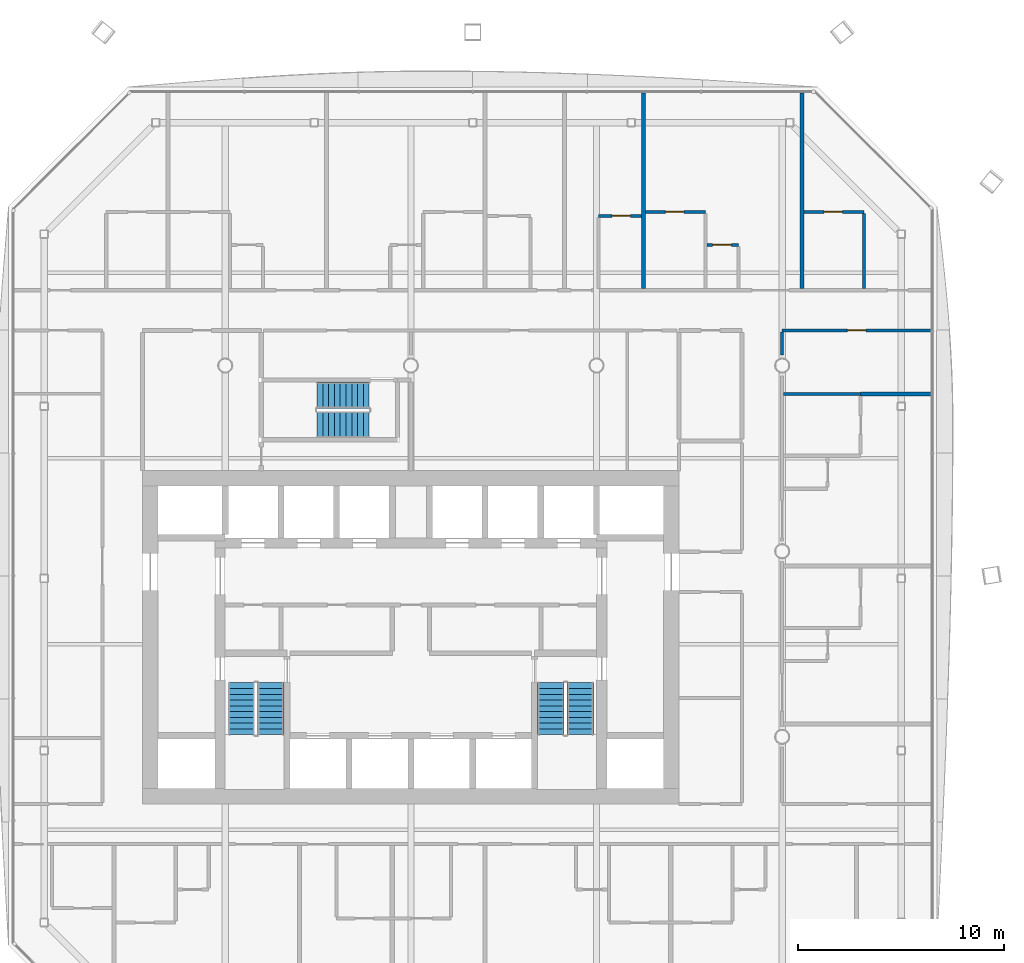
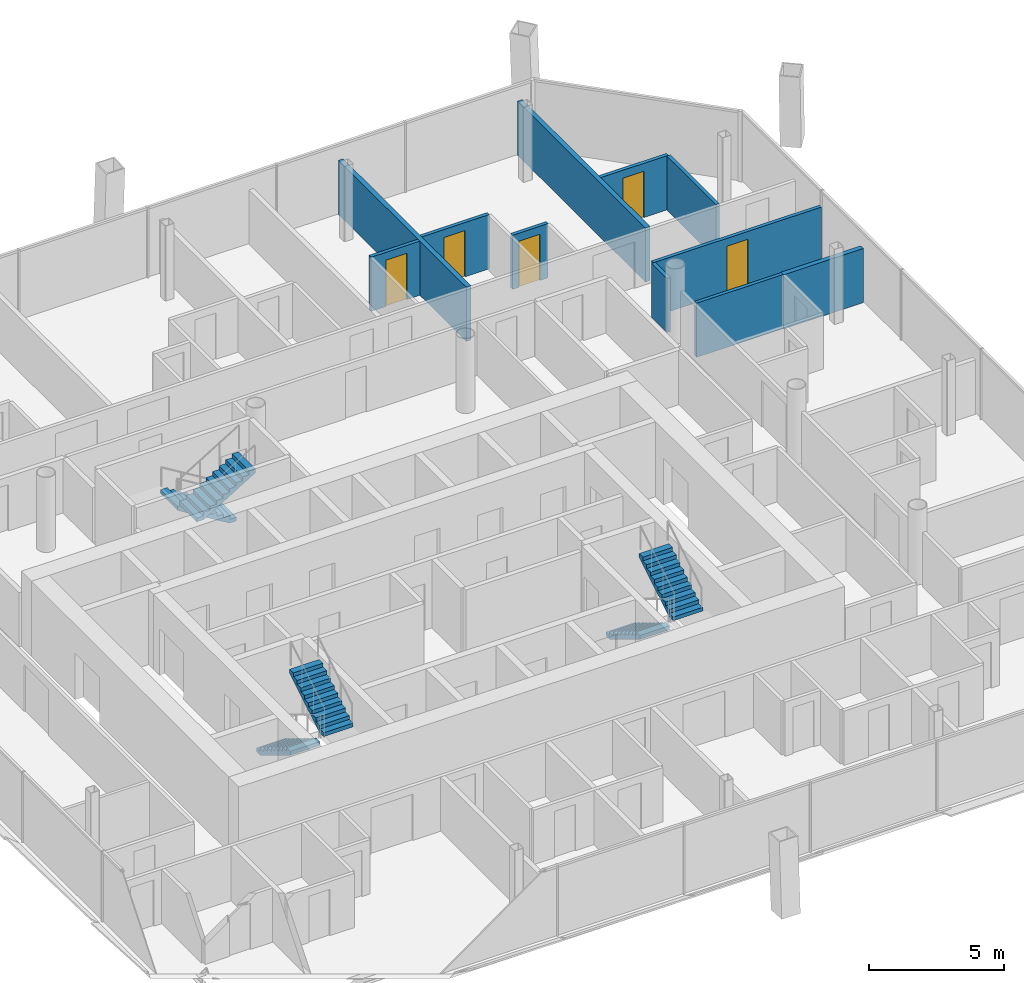
# One storey, part 15 of 18: 11 walls, 6 stair flights, 5 doors, 5 openings, 3 elements without a shape of their own.
"""IFC4 building model written with IfcOpenShell, lengths in metres."""

from ifc_helpers import new_model, si_unit, direction, frame, frame_2d, origin, place, context, subcontext, project, spatial, polyline, rectangle, outline, extrude, material, layer, layer_set, type_object, element, fill, aggregate, save


model = new_model("IFC4")

# Units and contexts
model_context = context("Model", 3, precision=1e-05, world=origin(), true_north=direction((0.0, 1.0)))
body_context = subcontext(model_context, "Body", "Model", "MODEL_VIEW")
ifc_project = project(units=[si_unit("LENGTHUNIT", "METRE"), si_unit("AREAUNIT", "SQUARE_METRE"), si_unit("VOLUMEUNIT", "CUBIC_METRE"), si_unit("PLANEANGLEUNIT", "RADIAN"), si_unit("MASSUNIT", "GRAM", prefix="KILO")], contexts=[model_context])

# Site, building, storey
site_placement = place(None, origin())
site = spatial("IfcSite", under=ifc_project, at=site_placement, CompositionType="ELEMENT")
building_placement = place(site_placement, origin())
building = spatial("IfcBuilding", under=site, at=building_placement, Name="Tskaro Facet Tower", CompositionType="ELEMENT")
storey_placement = place(building_placement, frame((0.0, 0.0, 145.300048828125)))
storey = spatial("IfcBuildingStorey", under=building, at=storey_placement, Name="L35", CompositionType="ELEMENT", Elevation=145.300048828125)

# Wall
ifc_material_1 = material(Name="Gypsum board on steel studs", Category="steel")
ifc_layer_1 = layer(ifc_material_1, 0.14990234375, Name="Gypsum board on steel studs")
ifc_layer_set_1 = layer_set([ifc_layer_1], Name="Gypsum board on steel studs")
wall_type_1 = type_object("IfcWallType", Name="PART-CORR", PredefinedType="PARTITIONING", material=ifc_layer_set_1)
wall_1_placement = place(storey_placement, frame((18.074951171875, 7.6259765625, 0.0), z_axis=(0.0, 0.0, 1.0), x_axis=(1.0, 0.0, 0.0)))
element("IfcWall", 1, at=wall_1_placement, inside=storey, type_object=wall_type_1, Name="Corridor wall W035", PredefinedType="PARTITIONING", context=body_context, shape_type="SweptSolid", body=[
    extrude(rectangle(XDim=3.72509765625, YDim=0.14990234375, at=frame_2d((1.862548828125, 0.0))), origin(), (0.0, 0.0, 1.0), 2.4599609375),
])

# Wall, opening, door
wall_2_placement = place(storey_placement, frame((25.221923828125, 10.699951171875, 0.0), z_axis=(0.0, 0.0, 1.0), x_axis=(-1.0, 0.0, 0.0)))
wall_2 = element("IfcWall", 2, at=wall_2_placement, inside=storey, type_object=wall_type_1, Name="Corridor wall W043", PredefinedType="PARTITIONING", context=body_context, shape_type="SweptSolid", body=[
    extrude(rectangle(XDim=7.221923828125, YDim=0.14990234375, at=frame_2d((3.61083984375, 0.0))), origin(), (0.0, 0.0, 1.0), 2.4599609375),
])
opening_1_placement = place(wall_2_placement, frame((3.160888671875, 0.0, 0.0)))
opening_1 = element("IfcOpeningElement", 3, at=opening_1_placement, cuts=wall_2, Name="Opening T10-D48", PredefinedType="OPENING", context=body_context, shape_type="SweptSolid", body=[
    extrude(rectangle(XDim=0.89990234375, YDim=2.10009765625, at=frame_2d((0.449951171875, 1.050048828125))), frame((0.0, 0.0849609375, 0.0), z_axis=(0.0, -1.0, 0.0), x_axis=(1.0, 0.0, 0.0)), (0.0, 0.0, 1.0), 0.169921875),
])
ifc_material_2 = material(Name="Timber", Category="wood")
door_type = type_object("IfcDoorType", Name="D-ROOM", OperationType="NOTDEFINED", PredefinedType="DOOR", material=ifc_material_2)
door_1_placement = place(opening_1_placement, origin())
door_1 = element("IfcDoor", 4, at=door_1_placement, inside=storey, type_object=door_type, Name="Door T10-D48", OperationType="SINGLE_SWING_RIGHT", OverallHeight=2.10009765625, OverallWidth=0.89990234375, PredefinedType="DOOR", context=body_context, shape_type="SweptSolid", body=[
    extrude(rectangle(XDim=0.89990234375, YDim=2.10009765625, at=frame_2d((0.449951171875, 1.050048828125))), frame((0.0, 0.02490234375, 0.0), z_axis=(0.0, -1.0, 0.0), x_axis=(1.0, 0.0, 0.0)), (0.0, 0.0, 1.0), 0.050048828125),
])
fill(opening_1, door_1)

wall_3_placement = place(storey_placement, frame((15.884033203125, 14.85009765625, 0.0), z_axis=(0.0, 0.0, 1.0), x_axis=(-1.0, 0.0, 0.0)))
wall_3 = element("IfcWall", 5, at=wall_3_placement, inside=storey, type_object=wall_type_1, Name="Corridor wall W047", PredefinedType="PARTITIONING", context=body_context, shape_type="SweptSolid", body=[
    extrude(rectangle(XDim=1.525146484375, YDim=0.14990234375, at=frame_2d((0.7626953125, 0.0))), origin(), (0.0, 0.0, 1.0), 2.4599609375),
])
opening_2_placement = place(wall_3_placement, frame((0.35009765625, 0.0, 0.0)))
opening_2 = element("IfcOpeningElement", 6, at=opening_2_placement, cuts=wall_3, Name="Opening T10-D58", PredefinedType="OPENING", context=body_context, shape_type="SweptSolid", body=[
    extrude(rectangle(XDim=0.89990234375, YDim=2.10009765625, at=frame_2d((0.449951171875, 1.050048828125))), frame((0.0, 0.0849609375, 0.0), z_axis=(0.0, -1.0, 0.0), x_axis=(1.0, 0.0, 0.0)), (0.0, 0.0, 1.0), 0.169921875),
])
door_2_placement = place(opening_2_placement, origin())
door_2 = element("IfcDoor", 7, at=door_2_placement, inside=storey, type_object=door_type, Name="Door T10-D58", OperationType="SINGLE_SWING_RIGHT", OverallHeight=2.10009765625, OverallWidth=0.89990234375, PredefinedType="DOOR", context=body_context, shape_type="SweptSolid", body=[
    extrude(rectangle(XDim=0.89990234375, YDim=2.10009765625, at=frame_2d((0.449951171875, 1.050048828125))), frame((0.0, 0.02490234375, 0.0), z_axis=(0.0, -1.0, 0.0), x_axis=(1.0, 0.0, 0.0)), (0.0, 0.0, 1.0), 0.050048828125),
])
fill(opening_2, door_2)

wall_4_placement = place(storey_placement, frame((11.18408203125, 16.25, 0.0), z_axis=(0.0, 0.0, 1.0), x_axis=(-1.0, 0.0, 0.0)))
wall_4 = element("IfcWall", 8, at=wall_4_placement, inside=storey, type_object=wall_type_1, Name="Corridor wall W049", PredefinedType="PARTITIONING", context=body_context, shape_type="SweptSolid", body=[
    extrude(rectangle(XDim=2.090087890625, YDim=0.14990234375, at=frame_2d((1.044921875, 0.0))), origin(), (0.0, 0.0, 1.0), 2.4599609375),
])
opening_3_placement = place(wall_4_placement, frame((0.544921875, 0.0, 0.0)))
opening_3 = element("IfcOpeningElement", 9, at=opening_3_placement, cuts=wall_4, Name="Opening T10-D60", PredefinedType="OPENING", context=body_context, shape_type="SweptSolid", body=[
    extrude(rectangle(XDim=0.89990234375, YDim=2.10009765625, at=frame_2d((0.449951171875, 1.050048828125))), frame((0.0, 0.0849609375, 0.0), z_axis=(0.0, -1.0, 0.0), x_axis=(1.0, 0.0, 0.0)), (0.0, 0.0, 1.0), 0.169921875),
])
door_3_placement = place(opening_3_placement, origin())
door_3 = element("IfcDoor", 10, at=door_3_placement, inside=storey, type_object=door_type, Name="Door T10-D60", OperationType="SINGLE_SWING_RIGHT", OverallHeight=2.10009765625, OverallWidth=0.89990234375, PredefinedType="DOOR", context=body_context, shape_type="SweptSolid", body=[
    extrude(rectangle(XDim=0.89990234375, YDim=2.10009765625, at=frame_2d((0.449951171875, 1.050048828125))), frame((0.0, 0.02490234375, 0.0), z_axis=(0.0, -1.0, 0.0), x_axis=(1.0, 0.0, 0.0)), (0.0, 0.0, 1.0), 0.050048828125),
])
fill(opening_3, door_3)

wall_5_placement = place(storey_placement, frame((14.283935546875, 16.449951171875, 0.0), z_axis=(0.0, 0.0, 1.0), x_axis=(-1.0, 0.0, 0.0)))
wall_5 = element("IfcWall", 11, at=wall_5_placement, inside=storey, type_object=wall_type_1, Name="Corridor wall W052", PredefinedType="PARTITIONING", context=body_context, shape_type="SweptSolid", body=[
    extrude(rectangle(XDim=2.89990234375, YDim=0.14990234375, at=frame_2d((1.449951171875, 0.0))), origin(), (0.0, 0.0, 1.0), 2.4599609375),
])
opening_4_placement = place(wall_5_placement, frame((1.050048828125, 0.0, 0.0)))
opening_4 = element("IfcOpeningElement", 12, at=opening_4_placement, cuts=wall_5, Name="Opening T10-D64", PredefinedType="OPENING", context=body_context, shape_type="SweptSolid", body=[
    extrude(rectangle(XDim=0.89990234375, YDim=2.10009765625, at=frame_2d((0.449951171875, 1.050048828125))), frame((0.0, 0.0849609375, 0.0), z_axis=(0.0, -1.0, 0.0), x_axis=(1.0, 0.0, 0.0)), (0.0, 0.0, 1.0), 0.169921875),
])
door_4_placement = place(opening_4_placement, origin())
door_4 = element("IfcDoor", 13, at=door_4_placement, inside=storey, type_object=door_type, Name="Door T10-D64", OperationType="SINGLE_SWING_RIGHT", OverallHeight=2.10009765625, OverallWidth=0.89990234375, PredefinedType="DOOR", context=body_context, shape_type="SweptSolid", body=[
    extrude(rectangle(XDim=0.89990234375, YDim=2.10009765625, at=frame_2d((0.449951171875, 1.050048828125))), frame((0.0, 0.02490234375, 0.0), z_axis=(0.0, -1.0, 0.0), x_axis=(1.0, 0.0, 0.0)), (0.0, 0.0, 1.0), 0.050048828125),
])
fill(opening_4, door_4)

wall_6_placement = place(storey_placement, frame((21.968017578125, 16.449951171875, 0.0), z_axis=(0.0, 0.0, 1.0), x_axis=(-1.0, 0.0, 0.0)))
wall_6 = element("IfcWall", 14, at=wall_6_placement, inside=storey, type_object=wall_type_1, Name="Corridor wall W053", PredefinedType="PARTITIONING", context=body_context, shape_type="SweptSolid", body=[
    extrude(rectangle(XDim=2.89990234375, YDim=0.14990234375, at=frame_2d((1.449951171875, 0.0))), origin(), (0.0, 0.0, 1.0), 2.4599609375),
])
opening_5_placement = place(wall_6_placement, frame((1.050048828125, 0.0, 0.0)))
opening_5 = element("IfcOpeningElement", 15, at=opening_5_placement, cuts=wall_6, Name="Opening T10-D65", PredefinedType="OPENING", context=body_context, shape_type="SweptSolid", body=[
    extrude(rectangle(XDim=0.89990234375, YDim=2.10009765625, at=frame_2d((0.449951171875, 1.050048828125))), frame((0.0, 0.0849609375, 0.0), z_axis=(0.0, -1.0, 0.0), x_axis=(1.0, 0.0, 0.0)), (0.0, 0.0, 1.0), 0.169921875),
])
door_5_placement = place(opening_5_placement, origin())
door_5 = element("IfcDoor", 16, at=door_5_placement, inside=storey, type_object=door_type, Name="Door T10-D65", OperationType="SINGLE_SWING_RIGHT", OverallHeight=2.10009765625, OverallWidth=0.89990234375, PredefinedType="DOOR", context=body_context, shape_type="SweptSolid", body=[
    extrude(rectangle(XDim=0.89990234375, YDim=2.10009765625, at=frame_2d((0.449951171875, 1.050048828125))), frame((0.0, 0.02490234375, 0.0), z_axis=(0.0, -1.0, 0.0), x_axis=(1.0, 0.0, 0.0)), (0.0, 0.0, 1.0), 0.050048828125),
])
fill(opening_5, door_5)

# Walls
wall_7_placement = place(storey_placement, frame((18.0, 9.5, 0.0), z_axis=(0.0, 0.0, 1.0), x_axis=(0.0, 1.0, 0.0)))
element("IfcWall", 17, at=wall_7_placement, inside=storey, type_object=wall_type_1, Name="Corridor wall W116", PredefinedType="PARTITIONING", context=body_context, shape_type="SweptSolid", body=[
    extrude(rectangle(XDim=1.125, YDim=0.14990234375, at=frame_2d((0.5625, 0.0))), origin(), (0.0, 0.0, 1.0), 2.4599609375),
])
wall_8_placement = place(storey_placement, frame((21.968017578125, 12.72509765625, 0.0), z_axis=(0.0, 0.0, 1.0), x_axis=(0.0, 1.0, 0.0)))
element("IfcWall", 18, at=wall_8_placement, inside=storey, type_object=wall_type_1, Name="Corridor wall W123", PredefinedType="PARTITIONING", context=body_context, shape_type="SweptSolid", body=[
    extrude(rectangle(XDim=3.64990234375, YDim=0.14990234375, at=frame_2d((1.824951171875, 0.0))), origin(), (0.0, 0.0, 1.0), 2.4599609375),
])
ifc_layer_2 = layer(ifc_material_1, 0.199951171875, Name="Gypsum board on steel studs")
ifc_layer_set_2 = layer_set([ifc_layer_2], Name="Gypsum board on steel studs")
wall_type_2 = type_object("IfcWallType", Name="PART-DEMISING", PredefinedType="PARTITIONING", material=ifc_layer_set_2)
wall_9_placement = place(storey_placement, frame((21.800048828125, 7.6259765625, 0.0), z_axis=(0.0, 0.0, 1.0), x_axis=(1.0, 0.0, 0.0)))
element("IfcWall", 19, at=wall_9_placement, inside=storey, type_object=wall_type_2, Name="Guest room wall W036", PredefinedType="PARTITIONING", context=body_context, shape_type="SweptSolid", body=[
    extrude(rectangle(XDim=3.421875, YDim=0.199951171875, at=frame_2d((1.7109375, 0.0))), origin(), (0.0, 0.0, 1.0), 2.4599609375),
])
for number, where, z_axis, x_axis, name in (
    (20, (11.283935546875, 12.72509765625, 0.0), (0.0, 0.0, 1.0), (0.0, 1.0, 0.0), "Guest room wall W102"),
    (21, (18.968017578125, 12.72509765625, 0.0), (0.0, 0.0, 1.0), (0.0, 1.0, 0.0), "Guest room wall W117"),
):
    element("IfcWall", number, at=place(storey_placement, frame(where, z_axis=z_axis, x_axis=x_axis)), inside=storey, type_object=wall_type_2, Name=name, PredefinedType="PARTITIONING", context=body_context, shape_type="SweptSolid", body=[
        extrude(rectangle(XDim=9.496826171875, YDim=0.199951171875, at=frame_2d((4.74853515625, 0.0))), origin(), (0.0, 0.0, 1.0), 2.4599609375),
    ])

# Stair, stair flights
ifc_material_3 = material(Name="Concrete C40/50", Category="concrete")
stair_type = type_object("IfcStairType", Name="ST-TWR", PredefinedType="HALF_TURN_STAIR", material=ifc_material_3)
stair_1_placement = place(storey_placement, origin())
stair_1 = element("IfcStair", 22, at=stair_1_placement, inside=storey, type_object=stair_type, Name="L35 Exit stair 1", PredefinedType="HALF_TURN_STAIR")
stair_flight_type = type_object("IfcStairFlightType", Name="SFL-RC", PredefinedType="STRAIGHT", material=ifc_material_3)
stair_flight_1_placement = place(storey_placement, frame((-8.21240234375, -6.375, 0.0), z_axis=(0.0, 0.0, 1.0), x_axis=(0.0, -1.0, 0.0)))
stair_flight_1 = element("IfcStairFlight", 23, at=stair_flight_1_placement, type_object=stair_flight_type, Name="ST-1 flight 1", NumberOfRisers=10, NumberOfTreads=9, PredefinedType="STRAIGHT", RiserHeight=0.17, TreadLength=0.28, context=body_context, shape_type="SweptSolid", body=[
    extrude(outline(polyline([(0.0, 0.0), (0.0, 0.169921875), (0.280029296875, 0.169921875), (0.280029296875, 0.340087890625), (0.56005859375, 0.340087890625), (0.56005859375, 0.510009765625), (0.840087890625, 0.510009765625), (0.840087890625, 0.679931640625), (1.1201171875, 0.679931640625), (1.1201171875, 0.85009765625), (1.39990234375, 0.85009765625), (1.39990234375, 1.02001953125), (1.679931640625, 1.02001953125), (1.679931640625, 1.18994140625), (1.9599609375, 1.18994140625), (1.9599609375, 1.360107421875), (2.239990234375, 1.360107421875), (2.239990234375, 1.530029296875), (2.52001953125, 1.530029296875), (2.52001953125, 1.699951171875), (2.52001953125, 1.354736328125), (0.288818359375, 0.0), (0.0, 0.0)])), frame((0.0, 0.637451171875, 0.0), z_axis=(0.0, -1.0, 0.0), x_axis=(1.0, 0.0, 0.0)), (0.0, 0.0, 1.0), 1.27490234375),
])
stair_flight_2_placement = place(storey_placement, frame((-6.78759765625, -8.89501953125, 1.699951171875), z_axis=(0.0, 0.0, 1.0), x_axis=(0.0, 1.0, 0.0)))
stair_flight_2 = element("IfcStairFlight", 24, at=stair_flight_2_placement, type_object=stair_flight_type, Name="ST-1 flight 2", NumberOfRisers=10, NumberOfTreads=9, PredefinedType="STRAIGHT", RiserHeight=0.17, TreadLength=0.28, context=body_context, shape_type="SweptSolid", body=[
    extrude(outline(polyline([(0.0, 0.0), (0.0, 0.169921875), (0.280029296875, 0.169921875), (0.280029296875, 0.340087890625), (0.56005859375, 0.340087890625), (0.56005859375, 0.510009765625), (0.840087890625, 0.510009765625), (0.840087890625, 0.679931640625), (1.1201171875, 0.679931640625), (1.1201171875, 0.85009765625), (1.39990234375, 0.85009765625), (1.39990234375, 1.02001953125), (1.679931640625, 1.02001953125), (1.679931640625, 1.18994140625), (1.9599609375, 1.18994140625), (1.9599609375, 1.360107421875), (2.239990234375, 1.360107421875), (2.239990234375, 1.530029296875), (2.52001953125, 1.530029296875), (2.52001953125, 1.699951171875), (2.52001953125, 1.354736328125), (0.288818359375, 0.0), (0.0, 0.0)])), frame((0.0, 0.637451171875, 0.0), z_axis=(0.0, -1.0, 0.0), x_axis=(1.0, 0.0, 0.0)), (0.0, 0.0, 1.0), 1.27490234375),
])
aggregate(stair_1, [stair_flight_1, stair_flight_2])

stair_2_placement = place(storey_placement, origin())
stair_2 = element("IfcStair", 25, at=stair_2_placement, inside=storey, type_object=stair_type, Name="L35 Exit stair 2", PredefinedType="HALF_TURN_STAIR")
stair_flight_3_placement = place(storey_placement, frame((6.78759765625, -6.375, 0.0), z_axis=(0.0, 0.0, 1.0), x_axis=(0.0, -1.0, 0.0)))
stair_flight_3 = element("IfcStairFlight", 26, at=stair_flight_3_placement, type_object=stair_flight_type, Name="ST-2 flight 1", NumberOfRisers=10, NumberOfTreads=9, PredefinedType="STRAIGHT", RiserHeight=0.17, TreadLength=0.28, context=body_context, shape_type="SweptSolid", body=[
    extrude(outline(polyline([(0.0, 0.0), (0.0, 0.169921875), (0.280029296875, 0.169921875), (0.280029296875, 0.340087890625), (0.56005859375, 0.340087890625), (0.56005859375, 0.510009765625), (0.840087890625, 0.510009765625), (0.840087890625, 0.679931640625), (1.1201171875, 0.679931640625), (1.1201171875, 0.85009765625), (1.39990234375, 0.85009765625), (1.39990234375, 1.02001953125), (1.679931640625, 1.02001953125), (1.679931640625, 1.18994140625), (1.9599609375, 1.18994140625), (1.9599609375, 1.360107421875), (2.239990234375, 1.360107421875), (2.239990234375, 1.530029296875), (2.52001953125, 1.530029296875), (2.52001953125, 1.699951171875), (2.52001953125, 1.354736328125), (0.288818359375, 0.0), (0.0, 0.0)])), frame((0.0, 0.637451171875, 0.0), z_axis=(0.0, -1.0, 0.0), x_axis=(1.0, 0.0, 0.0)), (0.0, 0.0, 1.0), 1.27490234375),
])
stair_flight_4_placement = place(storey_placement, frame((8.21240234375, -8.89501953125, 1.699951171875), z_axis=(0.0, 0.0, 1.0), x_axis=(0.0, 1.0, 0.0)))
stair_flight_4 = element("IfcStairFlight", 27, at=stair_flight_4_placement, type_object=stair_flight_type, Name="ST-2 flight 2", NumberOfRisers=10, NumberOfTreads=9, PredefinedType="STRAIGHT", RiserHeight=0.17, TreadLength=0.28, context=body_context, shape_type="SweptSolid", body=[
    extrude(outline(polyline([(0.0, 0.0), (0.0, 0.169921875), (0.280029296875, 0.169921875), (0.280029296875, 0.340087890625), (0.56005859375, 0.340087890625), (0.56005859375, 0.510009765625), (0.840087890625, 0.510009765625), (0.840087890625, 0.679931640625), (1.1201171875, 0.679931640625), (1.1201171875, 0.85009765625), (1.39990234375, 0.85009765625), (1.39990234375, 1.02001953125), (1.679931640625, 1.02001953125), (1.679931640625, 1.18994140625), (1.9599609375, 1.18994140625), (1.9599609375, 1.360107421875), (2.239990234375, 1.360107421875), (2.239990234375, 1.530029296875), (2.52001953125, 1.530029296875), (2.52001953125, 1.699951171875), (2.52001953125, 1.354736328125), (0.288818359375, 0.0), (0.0, 0.0)])), frame((0.0, 0.637451171875, 0.0), z_axis=(0.0, -1.0, 0.0), x_axis=(1.0, 0.0, 0.0)), (0.0, 0.0, 1.0), 1.27490234375),
])
aggregate(stair_2, [stair_flight_3, stair_flight_4])

stair_3_placement = place(storey_placement, origin())
stair_3 = element("IfcStair", 28, at=stair_3_placement, inside=storey, type_object=stair_type, Name="L35 Exit stair 3", PredefinedType="HALF_TURN_STAIR")
stair_flight_5_placement = place(storey_placement, frame((-2.02490234375, 7.5625, 0.0), z_axis=(0.0, 0.0, 1.0), x_axis=(-1.0, 0.0, 0.0)))
stair_flight_5 = element("IfcStairFlight", 29, at=stair_flight_5_placement, type_object=stair_flight_type, Name="ST-3 flight 1", NumberOfRisers=10, NumberOfTreads=9, PredefinedType="STRAIGHT", RiserHeight=0.17, TreadLength=0.28, context=body_context, shape_type="SweptSolid", body=[
    extrude(outline(polyline([(0.0, 0.0), (0.0, 0.169921875), (0.280029296875, 0.169921875), (0.280029296875, 0.340087890625), (0.56005859375, 0.340087890625), (0.56005859375, 0.510009765625), (0.840087890625, 0.510009765625), (0.840087890625, 0.679931640625), (1.1201171875, 0.679931640625), (1.1201171875, 0.85009765625), (1.39990234375, 0.85009765625), (1.39990234375, 1.02001953125), (1.679931640625, 1.02001953125), (1.679931640625, 1.18994140625), (1.9599609375, 1.18994140625), (1.9599609375, 1.360107421875), (2.239990234375, 1.360107421875), (2.239990234375, 1.530029296875), (2.52001953125, 1.530029296875), (2.52001953125, 1.699951171875), (2.52001953125, 1.354736328125), (0.288818359375, 0.0), (0.0, 0.0)])), frame((0.0, 0.637451171875, 0.0), z_axis=(0.0, -1.0, 0.0), x_axis=(1.0, 0.0, 0.0)), (0.0, 0.0, 1.0), 1.27490234375),
])
stair_flight_6_placement = place(storey_placement, frame((-4.544921875, 6.137451171875, 1.699951171875), z_axis=(0.0, 0.0, 1.0), x_axis=(1.0, 0.0, 0.0)))
stair_flight_6 = element("IfcStairFlight", 30, at=stair_flight_6_placement, type_object=stair_flight_type, Name="ST-3 flight 2", NumberOfRisers=10, NumberOfTreads=9, PredefinedType="STRAIGHT", RiserHeight=0.17, TreadLength=0.28, context=body_context, shape_type="SweptSolid", body=[
    extrude(outline(polyline([(0.0, 0.0), (0.0, 0.169921875), (0.280029296875, 0.169921875), (0.280029296875, 0.340087890625), (0.56005859375, 0.340087890625), (0.56005859375, 0.510009765625), (0.840087890625, 0.510009765625), (0.840087890625, 0.679931640625), (1.1201171875, 0.679931640625), (1.1201171875, 0.85009765625), (1.39990234375, 0.85009765625), (1.39990234375, 1.02001953125), (1.679931640625, 1.02001953125), (1.679931640625, 1.18994140625), (1.9599609375, 1.18994140625), (1.9599609375, 1.360107421875), (2.239990234375, 1.360107421875), (2.239990234375, 1.530029296875), (2.52001953125, 1.530029296875), (2.52001953125, 1.699951171875), (2.52001953125, 1.354736328125), (0.288818359375, 0.0), (0.0, 0.0)])), frame((0.0, 0.637451171875, 0.0), z_axis=(0.0, -1.0, 0.0), x_axis=(1.0, 0.0, 0.0)), (0.0, 0.0, 1.0), 1.27490234375),
])
aggregate(stair_3, [stair_flight_5, stair_flight_6])

save(model, "model.ifc")
